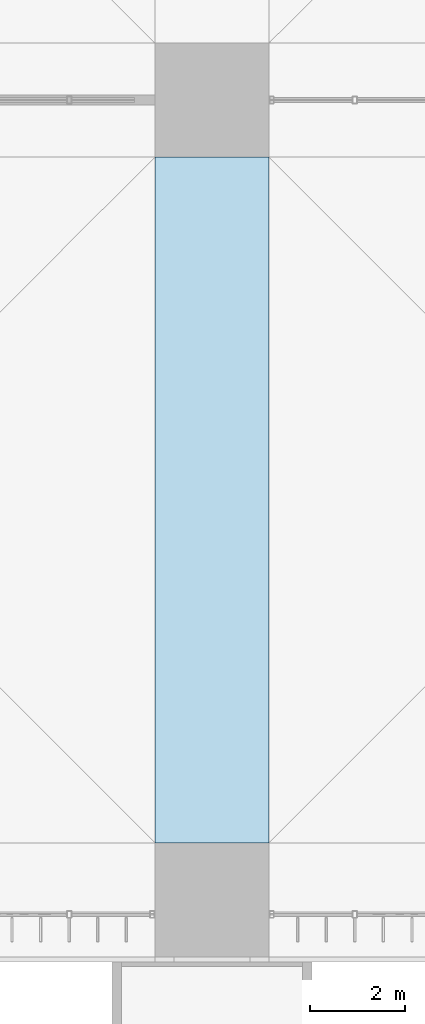
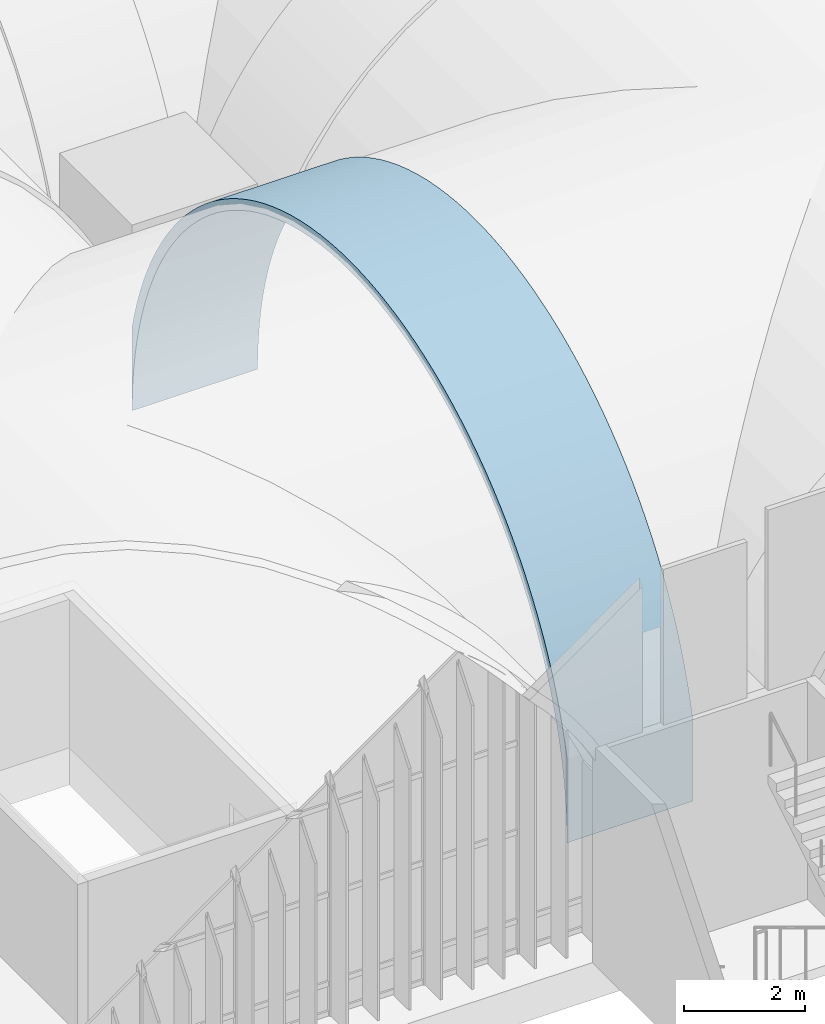
# One storey, part 113 of 169: 1 roof.
"""IFC4 building model written with IfcOpenShell, lengths in metres."""

from ifc_helpers import new_model, si_unit, direction, frame, origin, place, context, subcontext, project, spatial, polygons, material, layer, layer_set, type_object, element, save


model = new_model("IFC4")

# Units and contexts
model_context = context("Model", 3, precision=1e-05, world=origin(), true_north=direction((0.0, 1.0)))
body_context = subcontext(model_context, "Body", "Model", "MODEL_VIEW")
ifc_project = project(units=[si_unit("LENGTHUNIT", "METRE"), si_unit("AREAUNIT", "SQUARE_METRE"), si_unit("VOLUMEUNIT", "CUBIC_METRE"), si_unit("PLANEANGLEUNIT", "RADIAN"), si_unit("MASSUNIT", "GRAM", prefix="KILO")], contexts=[model_context])

# Site, building, storey
site_placement = place(None, origin())
site = spatial("IfcSite", under=ifc_project, at=site_placement, CompositionType="ELEMENT")
building_placement = place(site_placement, origin())
building = spatial("IfcBuilding", under=site, at=building_placement, Name="Verrick Yard Athletic Hall", CompositionType="ELEMENT")
storey_placement = place(building_placement, frame((0.0, 0.0, 4.39990234375)))
storey = spatial("IfcBuildingStorey", under=building, at=storey_placement, Name="L01", CompositionType="ELEMENT", Elevation=4.39990234375)

# Roof
ifc_material = material(Name="Concrete 35 MPa", Category="concrete")
ifc_layer = layer(ifc_material, 0.199951171875)
ifc_layer_set = layer_set([ifc_layer], Name="Arch rib 200")
roof_type = type_object("IfcRoofType", Name="Arch rib 200", PredefinedType="BARREL_ROOF", material=ifc_layer_set)
roof_placement = place(storey_placement, origin())
element("IfcRoof", 1, at=roof_placement, inside=storey, type_object=roof_type, Name="Vault rib X2-1", PredefinedType="BARREL_ROOF", context=body_context, shape_type="Tessellation", body=[
    polygons([(58.0, 20.39990234375, 2.352294921875), (58.0, 20.39990234375, 0.650146484375), (58.0, 20.406982421875, 0.964111328125), (58.0, 20.427490234375, 1.277587890625), (58.0, 20.461669921875, 1.58984375), (58.0, 20.509521484375, 1.900390625), (58.0, 20.57080078125, 2.20849609375), (58.0, 20.645263671875, 2.513671875), (58.0, 20.733154296875, 2.815185546875), (58.0, 20.834228515625, 3.112548828125), (58.0, 20.947998046875, 3.405517578125), (58.0, 21.07470703125, 3.693115234375), (58.0, 21.21337890625, 3.974609375), (58.0, 21.364501953125, 4.25), (58.0, 21.527587890625, 4.518798828125), (58.0, 21.7021484375, 4.77978515625), (58.0, 21.887939453125, 5.033203125), (58.0, 22.08447265625, 5.278076171875), (58.0, 22.29150390625, 5.514404296875), (58.0, 22.5087890625, 5.7412109375), (58.0, 22.73583984375, 5.95849609375), (58.0, 22.971923828125, 6.16552734375), (58.0, 23.216796875, 6.3623046875), (58.0, 23.47021484375, 6.548095703125), (58.0, 23.7314453125, 6.722412109375), (58.0, 24.0, 6.885498046875), (58.0, 24.275390625, 7.03662109375), (58.0, 24.55712890625, 7.175537109375), (58.0, 24.8447265625, 7.302001953125), (58.0, 25.137451171875, 7.416015625), (58.0, 25.434814453125, 7.516845703125), (58.0, 25.736572265625, 7.604736328125), (58.0, 26.04150390625, 7.679443359375), (58.0, 26.349609375, 7.74072265625), (58.0, 26.66015625, 7.78857421875), (58.0, 26.972412109375, 7.82275390625), (58.0, 27.285888671875, 7.84326171875), (58.0, 27.60009765625, 7.85009765625), (58.0, 27.9140625, 7.84326171875), (58.0, 28.2275390625, 7.82275390625), (58.0, 28.539794921875, 7.78857421875), (58.0, 28.850341796875, 7.74072265625), (58.0, 29.158447265625, 7.679443359375), (58.0, 29.46337890625, 7.604736328125), (58.0, 29.76513671875, 7.516845703125), (58.0, 30.0625, 7.416015625), (58.0, 30.355224609375, 7.302001953125), (58.0, 30.642822265625, 7.175537109375), (58.0, 30.924560546875, 7.03662109375), (58.0, 31.199951171875, 6.885498046875), (58.0, 31.468505859375, 6.722412109375), (58.0, 31.729736328125, 6.548095703125), (58.0, 31.983154296875, 6.3623046875), (58.0, 32.22802734375, 6.16552734375), (58.0, 32.464111328125, 5.95849609375), (58.0, 32.691162109375, 5.7412109375), (58.0, 32.908447265625, 5.514404296875), (58.0, 33.115478515625, 5.278076171875), (58.0, 33.31201171875, 5.033203125), (58.0, 33.497802734375, 4.77978515625), (58.0, 33.67236328125, 4.518798828125), (58.0, 33.83544921875, 4.25), (58.0, 33.986572265625, 3.974609375), (58.0, 34.12548828125, 3.693115234375), (58.0, 34.251953125, 3.405517578125), (58.0, 34.36572265625, 3.112548828125), (58.0, 34.466796875, 2.815185546875), (58.0, 34.5546875, 2.513671875), (58.0, 34.62939453125, 2.20849609375), (58.0, 34.690673828125, 1.900390625), (58.0, 34.73828125, 1.58984375), (58.0, 34.772705078125, 1.277587890625), (58.0, 34.793212890625, 0.964111328125), (58.0, 34.800048828125, 0.650146484375), (58.0, 34.800048828125, 2.352294921875), (58.0, 34.747802734375, 2.5654296875), (58.0, 34.657470703125, 2.875244140625), (58.0, 34.5537109375, 3.180908203125), (58.0, 34.436767578125, 3.48193359375), (58.0, 34.306640625, 3.777587890625), (58.0, 34.163818359375, 4.06689453125), (58.0, 34.008544921875, 4.35009765625), (58.0, 33.841064453125, 4.6259765625), (58.0, 33.66162109375, 4.89453125), (58.0, 33.470703125, 5.15478515625), (58.0, 33.268798828125, 5.40673828125), (58.0, 33.055908203125, 5.6494140625), (58.0, 32.83251953125, 5.8828125), (58.0, 32.599365234375, 6.10595703125), (58.0, 32.356689453125, 6.31884765625), (58.0, 32.104736328125, 6.52099609375), (58.0, 31.844482421875, 6.7119140625), (58.0, 31.575927734375, 6.89111328125), (58.0, 31.300048828125, 7.05859375), (58.0, 31.016845703125, 7.214111328125), (58.0, 30.727294921875, 7.356689453125), (58.0, 30.431884765625, 7.48681640625), (58.0, 30.130859375, 7.603759765625), (58.0, 29.8251953125, 7.70751953125), (58.0, 29.515380859375, 7.798095703125), (58.0, 29.20166015625, 7.874755859375), (58.0, 28.885009765625, 7.937744140625), (58.0, 28.56591796875, 7.98681640625), (58.0, 28.2451171875, 8.02197265625), (58.0, 27.9228515625, 8.043212890625), (58.0, 27.60009765625, 8.050048828125), (58.0, 27.277099609375, 8.043212890625), (58.0, 26.955078125, 8.02197265625), (58.0, 26.634033203125, 7.98681640625), (58.0, 26.31494140625, 7.937744140625), (58.0, 25.998291015625, 7.874755859375), (58.0, 25.684814453125, 7.798095703125), (58.0, 25.374755859375, 7.70751953125), (58.0, 25.069091796875, 7.603759765625), (58.0, 24.76806640625, 7.48681640625), (58.0, 24.47265625, 7.356689453125), (58.0, 24.18310546875, 7.214111328125), (58.0, 23.89990234375, 7.05859375), (58.0, 23.6240234375, 6.89111328125), (58.0, 23.35546875, 6.7119140625), (58.0, 23.09521484375, 6.52099609375), (58.0, 22.843505859375, 6.31884765625), (58.0, 22.6005859375, 6.10595703125), (58.0, 22.367431640625, 5.8828125), (58.0, 22.14404296875, 5.6494140625), (58.0, 21.931396484375, 5.40673828125), (58.0, 21.729248046875, 5.15478515625), (58.0, 21.538330078125, 4.89453125), (58.0, 21.35888671875, 4.6259765625), (58.0, 21.19140625, 4.35009765625), (58.0, 21.0361328125, 4.06689453125), (58.0, 20.893310546875, 3.777587890625), (58.0, 20.76318359375, 3.48193359375), (58.0, 20.646240234375, 3.180908203125), (58.0, 20.54248046875, 2.875244140625), (58.0, 20.4521484375, 2.5654296875), (55.60009765625, 20.39990234375, 2.352294921875), (55.60009765625, 20.39990234375, 0.650146484375), (55.60009765625, 20.406982421875, 0.964111328125), (55.60009765625, 20.427490234375, 1.277587890625), (55.60009765625, 20.461669921875, 1.58984375), (55.60009765625, 20.509521484375, 1.900390625), (55.60009765625, 20.57080078125, 2.20849609375), (55.60009765625, 20.645263671875, 2.513671875), (55.60009765625, 20.733154296875, 2.815185546875), (55.60009765625, 20.834228515625, 3.112548828125), (55.60009765625, 20.947998046875, 3.405517578125), (55.60009765625, 21.07470703125, 3.693115234375), (55.60009765625, 21.21337890625, 3.974609375), (55.60009765625, 21.364501953125, 4.25), (55.60009765625, 21.527587890625, 4.518798828125), (55.60009765625, 21.7021484375, 4.77978515625), (55.60009765625, 21.887939453125, 5.033203125), (55.60009765625, 22.08447265625, 5.278076171875), (55.60009765625, 22.29150390625, 5.514404296875), (55.60009765625, 22.5087890625, 5.7412109375), (55.60009765625, 22.73583984375, 5.95849609375), (55.60009765625, 22.971923828125, 6.16552734375), (55.60009765625, 23.216796875, 6.3623046875), (55.60009765625, 23.47021484375, 6.548095703125), (55.60009765625, 23.7314453125, 6.722412109375), (55.60009765625, 24.0, 6.885498046875), (55.60009765625, 24.275390625, 7.03662109375), (55.60009765625, 24.55712890625, 7.175537109375), (55.60009765625, 24.8447265625, 7.302001953125), (55.60009765625, 25.137451171875, 7.416015625), (55.60009765625, 25.434814453125, 7.516845703125), (55.60009765625, 25.736572265625, 7.604736328125), (55.60009765625, 26.04150390625, 7.679443359375), (55.60009765625, 26.349609375, 7.74072265625), (55.60009765625, 26.66015625, 7.78857421875), (55.60009765625, 26.972412109375, 7.82275390625), (55.60009765625, 27.285888671875, 7.84326171875), (55.60009765625, 27.60009765625, 7.85009765625), (55.60009765625, 27.9140625, 7.84326171875), (55.60009765625, 28.2275390625, 7.82275390625), (55.60009765625, 28.539794921875, 7.78857421875), (55.60009765625, 28.850341796875, 7.74072265625), (55.60009765625, 29.158447265625, 7.679443359375), (55.60009765625, 29.46337890625, 7.604736328125), (55.60009765625, 29.76513671875, 7.516845703125), (55.60009765625, 30.0625, 7.416015625), (55.60009765625, 30.355224609375, 7.302001953125), (55.60009765625, 30.642822265625, 7.175537109375), (55.60009765625, 30.924560546875, 7.03662109375), (55.60009765625, 31.199951171875, 6.885498046875), (55.60009765625, 31.468505859375, 6.722412109375), (55.60009765625, 31.729736328125, 6.548095703125), (55.60009765625, 31.983154296875, 6.3623046875), (55.60009765625, 32.22802734375, 6.16552734375), (55.60009765625, 32.464111328125, 5.95849609375), (55.60009765625, 32.691162109375, 5.7412109375), (55.60009765625, 32.908447265625, 5.514404296875), (55.60009765625, 33.115478515625, 5.278076171875), (55.60009765625, 33.31201171875, 5.033203125), (55.60009765625, 33.497802734375, 4.77978515625), (55.60009765625, 33.67236328125, 4.518798828125), (55.60009765625, 33.83544921875, 4.25), (55.60009765625, 33.986572265625, 3.974609375), (55.60009765625, 34.12548828125, 3.693115234375), (55.60009765625, 34.251953125, 3.405517578125), (55.60009765625, 34.36572265625, 3.112548828125), (55.60009765625, 34.466796875, 2.815185546875), (55.60009765625, 34.5546875, 2.513671875), (55.60009765625, 34.62939453125, 2.20849609375), (55.60009765625, 34.690673828125, 1.900390625), (55.60009765625, 34.73828125, 1.58984375), (55.60009765625, 34.772705078125, 1.277587890625), (55.60009765625, 34.793212890625, 0.964111328125), (55.60009765625, 34.800048828125, 0.650146484375), (55.60009765625, 34.800048828125, 2.352294921875), (55.60009765625, 34.747802734375, 2.5654296875), (55.60009765625, 34.657470703125, 2.875244140625), (55.60009765625, 34.5537109375, 3.180908203125), (55.60009765625, 34.436767578125, 3.48193359375), (55.60009765625, 34.306640625, 3.777587890625), (55.60009765625, 34.163818359375, 4.06689453125), (55.60009765625, 34.008544921875, 4.35009765625), (55.60009765625, 33.841064453125, 4.6259765625), (55.60009765625, 33.66162109375, 4.89453125), (55.60009765625, 33.470703125, 5.15478515625), (55.60009765625, 33.268798828125, 5.40673828125), (55.60009765625, 33.055908203125, 5.6494140625), (55.60009765625, 32.83251953125, 5.8828125), (55.60009765625, 32.599365234375, 6.10595703125), (55.60009765625, 32.356689453125, 6.31884765625), (55.60009765625, 32.104736328125, 6.52099609375), (55.60009765625, 31.844482421875, 6.7119140625), (55.60009765625, 31.575927734375, 6.89111328125), (55.60009765625, 31.300048828125, 7.05859375), (55.60009765625, 31.016845703125, 7.214111328125), (55.60009765625, 30.727294921875, 7.356689453125), (55.60009765625, 30.431884765625, 7.48681640625), (55.60009765625, 30.130859375, 7.603759765625), (55.60009765625, 29.8251953125, 7.70751953125), (55.60009765625, 29.515380859375, 7.798095703125), (55.60009765625, 29.20166015625, 7.874755859375), (55.60009765625, 28.885009765625, 7.937744140625), (55.60009765625, 28.56591796875, 7.98681640625), (55.60009765625, 28.2451171875, 8.02197265625), (55.60009765625, 27.9228515625, 8.043212890625), (55.60009765625, 27.60009765625, 8.050048828125), (55.60009765625, 27.277099609375, 8.043212890625), (55.60009765625, 26.955078125, 8.02197265625), (55.60009765625, 26.634033203125, 7.98681640625), (55.60009765625, 26.31494140625, 7.937744140625), (55.60009765625, 25.998291015625, 7.874755859375), (55.60009765625, 25.684814453125, 7.798095703125), (55.60009765625, 25.374755859375, 7.70751953125), (55.60009765625, 25.069091796875, 7.603759765625), (55.60009765625, 24.76806640625, 7.48681640625), (55.60009765625, 24.47265625, 7.356689453125), (55.60009765625, 24.18310546875, 7.214111328125), (55.60009765625, 23.89990234375, 7.05859375), (55.60009765625, 23.6240234375, 6.89111328125), (55.60009765625, 23.35546875, 6.7119140625), (55.60009765625, 23.09521484375, 6.52099609375), (55.60009765625, 22.843505859375, 6.31884765625), (55.60009765625, 22.6005859375, 6.10595703125), (55.60009765625, 22.367431640625, 5.8828125), (55.60009765625, 22.14404296875, 5.6494140625), (55.60009765625, 21.931396484375, 5.40673828125), (55.60009765625, 21.729248046875, 5.15478515625), (55.60009765625, 21.538330078125, 4.89453125), (55.60009765625, 21.35888671875, 4.6259765625), (55.60009765625, 21.19140625, 4.35009765625), (55.60009765625, 21.0361328125, 4.06689453125), (55.60009765625, 20.893310546875, 3.777587890625), (55.60009765625, 20.76318359375, 3.48193359375), (55.60009765625, 20.646240234375, 3.180908203125), (55.60009765625, 20.54248046875, 2.875244140625), (55.60009765625, 20.4521484375, 2.5654296875)], [[[1, 2, 3]], [[137, 139, 138]], [[136, 1, 3]], [[272, 139, 137]], [[136, 3, 4]], [[272, 140, 139]], [[136, 4, 5]], [[272, 141, 140]], [[136, 5, 6]], [[272, 142, 141]], [[136, 6, 7]], [[272, 143, 142]], [[136, 7, 8]], [[272, 144, 143]], [[136, 8, 9]], [[272, 145, 144]], [[136, 9, 10]], [[272, 146, 145]], [[136, 10, 11]], [[272, 147, 146]], [[136, 11, 12]], [[272, 148, 147]], [[136, 12, 13]], [[272, 149, 148]], [[73, 74, 75]], [[209, 211, 210]], [[72, 73, 75]], [[208, 211, 209]], [[71, 72, 75]], [[207, 211, 208]], [[70, 71, 75]], [[206, 211, 207]], [[69, 70, 75]], [[205, 211, 206]], [[68, 69, 75]], [[204, 211, 205]], [[67, 68, 75]], [[203, 211, 204]], [[66, 67, 75]], [[202, 211, 203]], [[65, 66, 75]], [[201, 211, 202]], [[64, 65, 75]], [[200, 211, 201]], [[63, 64, 75]], [[199, 211, 200]], [[63, 75, 76]], [[199, 212, 211]], [[63, 76, 77]], [[199, 213, 212]], [[62, 63, 77]], [[198, 213, 199]], [[62, 77, 78]], [[198, 214, 213]], [[61, 62, 78]], [[197, 214, 198]], [[61, 78, 79]], [[197, 215, 214]], [[60, 61, 79]], [[196, 215, 197]], [[60, 79, 80]], [[196, 216, 215]], [[59, 60, 80]], [[195, 216, 196]], [[59, 80, 81]], [[195, 217, 216]], [[58, 59, 81]], [[194, 217, 195]], [[58, 81, 82]], [[194, 218, 217]], [[57, 58, 82]], [[193, 218, 194]], [[57, 82, 83]], [[193, 219, 218]], [[56, 57, 83]], [[192, 219, 193]], [[56, 83, 84]], [[192, 220, 219]], [[55, 56, 84]], [[191, 220, 192]], [[55, 84, 85]], [[191, 221, 220]], [[54, 55, 85]], [[190, 221, 191]], [[54, 85, 86]], [[190, 222, 221]], [[53, 54, 86]], [[189, 222, 190]], [[53, 86, 87]], [[189, 223, 222]], [[52, 53, 87]], [[188, 223, 189]], [[52, 87, 88]], [[188, 224, 223]], [[51, 52, 88]], [[187, 224, 188]], [[51, 88, 89]], [[187, 225, 224]], [[50, 51, 89]], [[186, 225, 187]], [[50, 89, 90]], [[186, 226, 225]], [[49, 50, 90]], [[185, 226, 186]], [[49, 90, 91]], [[185, 227, 226]], [[48, 49, 91]], [[184, 227, 185]], [[48, 91, 92]], [[184, 228, 227]], [[47, 48, 92]], [[183, 228, 184]], [[47, 92, 93]], [[183, 229, 228]], [[46, 47, 93]], [[182, 229, 183]], [[46, 93, 94]], [[182, 230, 229]], [[45, 46, 94]], [[181, 230, 182]], [[45, 94, 95]], [[181, 231, 230]], [[44, 45, 95]], [[180, 231, 181]], [[44, 95, 96]], [[180, 232, 231]], [[43, 44, 96]], [[179, 232, 180]], [[43, 96, 97]], [[179, 233, 232]], [[42, 43, 97]], [[178, 233, 179]], [[42, 97, 98]], [[178, 234, 233]], [[41, 42, 98]], [[177, 234, 178]], [[41, 98, 99]], [[177, 235, 234]], [[40, 41, 99]], [[176, 235, 177]], [[40, 99, 100]], [[176, 236, 235]], [[39, 40, 100]], [[175, 236, 176]], [[39, 100, 101]], [[175, 237, 236]], [[38, 39, 101]], [[174, 237, 175]], [[38, 101, 102]], [[174, 238, 237]], [[37, 38, 102]], [[173, 238, 174]], [[37, 102, 103]], [[173, 239, 238]], [[36, 37, 103]], [[172, 239, 173]], [[36, 103, 104]], [[172, 240, 239]], [[35, 36, 104]], [[171, 240, 172]], [[35, 104, 105]], [[171, 241, 240]], [[34, 35, 105]], [[170, 241, 171]], [[34, 105, 106]], [[170, 242, 241]], [[33, 34, 106]], [[169, 242, 170]], [[33, 106, 107]], [[169, 243, 242]], [[32, 33, 107]], [[168, 243, 169]], [[32, 107, 108]], [[168, 244, 243]], [[31, 32, 108]], [[167, 244, 168]], [[31, 108, 109]], [[167, 245, 244]], [[30, 31, 109]], [[166, 245, 167]], [[30, 109, 110]], [[166, 246, 245]], [[29, 30, 110]], [[165, 246, 166]], [[29, 110, 111]], [[165, 247, 246]], [[28, 29, 111]], [[164, 247, 165]], [[28, 111, 112]], [[164, 248, 247]], [[27, 28, 112]], [[163, 248, 164]], [[27, 112, 113]], [[163, 249, 248]], [[26, 27, 113]], [[162, 249, 163]], [[26, 113, 114]], [[162, 250, 249]], [[25, 26, 114]], [[161, 250, 162]], [[25, 114, 115]], [[161, 251, 250]], [[24, 25, 115]], [[160, 251, 161]], [[24, 115, 116]], [[160, 252, 251]], [[23, 24, 116]], [[159, 252, 160]], [[23, 116, 117]], [[159, 253, 252]], [[22, 23, 117]], [[158, 253, 159]], [[22, 117, 118]], [[158, 254, 253]], [[21, 22, 118]], [[157, 254, 158]], [[21, 118, 119]], [[157, 255, 254]], [[20, 21, 119]], [[156, 255, 157]], [[20, 119, 120]], [[156, 256, 255]], [[19, 20, 120]], [[155, 256, 156]], [[19, 120, 121]], [[155, 257, 256]], [[18, 19, 121]], [[154, 257, 155]], [[18, 121, 122]], [[154, 258, 257]], [[17, 18, 122]], [[153, 258, 154]], [[17, 122, 123]], [[153, 259, 258]], [[16, 17, 123]], [[152, 259, 153]], [[16, 123, 124]], [[152, 260, 259]], [[15, 16, 124]], [[151, 260, 152]], [[15, 124, 125]], [[151, 261, 260]], [[14, 15, 125]], [[150, 261, 151]], [[14, 125, 126]], [[150, 262, 261]], [[13, 14, 126]], [[149, 262, 150]], [[136, 13, 126]], [[272, 262, 149]], [[136, 126, 127]], [[272, 263, 262]], [[136, 127, 128]], [[272, 264, 263]], [[136, 128, 129]], [[272, 265, 264]], [[136, 129, 130]], [[272, 266, 265]], [[136, 130, 131]], [[272, 267, 266]], [[136, 131, 132]], [[272, 268, 267]], [[136, 132, 133]], [[272, 269, 268]], [[136, 133, 134]], [[272, 270, 269]], [[134, 135, 136]], [[270, 272, 271]], [[1, 138, 2]], [[1, 137, 138]], [[2, 139, 3]], [[2, 138, 139]], [[3, 140, 4]], [[3, 139, 140]], [[4, 141, 5]], [[4, 140, 141]], [[5, 142, 6]], [[5, 141, 142]], [[6, 143, 7]], [[6, 142, 143]], [[7, 144, 8]], [[7, 143, 144]], [[8, 145, 9]], [[8, 144, 145]], [[9, 146, 10]], [[9, 145, 146]], [[10, 147, 11]], [[10, 146, 147]], [[11, 148, 12]], [[11, 147, 148]], [[12, 149, 13]], [[12, 148, 149]], [[13, 150, 14]], [[13, 149, 150]], [[14, 151, 15]], [[14, 150, 151]], [[15, 152, 16]], [[15, 151, 152]], [[16, 153, 17]], [[16, 152, 153]], [[17, 154, 18]], [[17, 153, 154]], [[18, 155, 19]], [[18, 154, 155]], [[19, 156, 20]], [[19, 155, 156]], [[20, 157, 21]], [[20, 156, 157]], [[21, 158, 22]], [[21, 157, 158]], [[22, 159, 23]], [[22, 158, 159]], [[23, 160, 24]], [[23, 159, 160]], [[24, 161, 25]], [[24, 160, 161]], [[25, 162, 26]], [[25, 161, 162]], [[26, 163, 27]], [[26, 162, 163]], [[27, 164, 28]], [[27, 163, 164]], [[28, 165, 29]], [[28, 164, 165]], [[29, 166, 30]], [[29, 165, 166]], [[30, 167, 31]], [[30, 166, 167]], [[31, 168, 32]], [[31, 167, 168]], [[32, 169, 33]], [[32, 168, 169]], [[33, 170, 34]], [[33, 169, 170]], [[34, 171, 35]], [[34, 170, 171]], [[35, 172, 36]], [[35, 171, 172]], [[36, 173, 37]], [[36, 172, 173]], [[37, 174, 38]], [[37, 173, 174]], [[38, 175, 39]], [[38, 174, 175]], [[39, 176, 40]], [[39, 175, 176]], [[40, 177, 41]], [[40, 176, 177]], [[41, 178, 42]], [[41, 177, 178]], [[42, 179, 43]], [[42, 178, 179]], [[43, 180, 44]], [[43, 179, 180]], [[44, 181, 45]], [[44, 180, 181]], [[45, 182, 46]], [[45, 181, 182]], [[46, 183, 47]], [[46, 182, 183]], [[47, 184, 48]], [[47, 183, 184]], [[48, 185, 49]], [[48, 184, 185]], [[49, 186, 50]], [[49, 185, 186]], [[50, 187, 51]], [[50, 186, 187]], [[51, 188, 52]], [[51, 187, 188]], [[52, 189, 53]], [[52, 188, 189]], [[53, 190, 54]], [[53, 189, 190]], [[54, 191, 55]], [[54, 190, 191]], [[55, 192, 56]], [[55, 191, 192]], [[56, 193, 57]], [[56, 192, 193]], [[57, 194, 58]], [[57, 193, 194]], [[58, 195, 59]], [[58, 194, 195]], [[59, 196, 60]], [[59, 195, 196]], [[60, 197, 61]], [[60, 196, 197]], [[61, 198, 62]], [[61, 197, 198]], [[62, 199, 63]], [[62, 198, 199]], [[63, 200, 64]], [[63, 199, 200]], [[64, 201, 65]], [[64, 200, 201]], [[65, 202, 66]], [[65, 201, 202]], [[66, 203, 67]], [[66, 202, 203]], [[67, 204, 68]], [[67, 203, 204]], [[68, 205, 69]], [[68, 204, 205]], [[69, 206, 70]], [[69, 205, 206]], [[70, 207, 71]], [[70, 206, 207]], [[71, 208, 72]], [[71, 207, 208]], [[72, 209, 73]], [[72, 208, 209]], [[73, 210, 74]], [[73, 209, 210]], [[74, 211, 75]], [[74, 210, 211]], [[75, 212, 76]], [[75, 211, 212]], [[76, 213, 77]], [[76, 212, 213]], [[77, 214, 78]], [[77, 213, 214]], [[78, 215, 79]], [[78, 214, 215]], [[79, 216, 80]], [[79, 215, 216]], [[80, 217, 81]], [[80, 216, 217]], [[81, 218, 82]], [[81, 217, 218]], [[82, 219, 83]], [[82, 218, 219]], [[83, 220, 84]], [[83, 219, 220]], [[84, 221, 85]], [[84, 220, 221]], [[85, 222, 86]], [[85, 221, 222]], [[86, 223, 87]], [[86, 222, 223]], [[87, 224, 88]], [[87, 223, 224]], [[88, 225, 89]], [[88, 224, 225]], [[89, 226, 90]], [[89, 225, 226]], [[90, 227, 91]], [[90, 226, 227]], [[91, 228, 92]], [[91, 227, 228]], [[92, 229, 93]], [[92, 228, 229]], [[93, 230, 94]], [[93, 229, 230]], [[94, 231, 95]], [[94, 230, 231]], [[95, 232, 96]], [[95, 231, 232]], [[96, 233, 97]], [[96, 232, 233]], [[97, 234, 98]], [[97, 233, 234]], [[98, 235, 99]], [[98, 234, 235]], [[99, 236, 100]], [[99, 235, 236]], [[100, 237, 101]], [[100, 236, 237]], [[101, 238, 102]], [[101, 237, 238]], [[102, 239, 103]], [[102, 238, 239]], [[103, 240, 104]], [[103, 239, 240]], [[104, 241, 105]], [[104, 240, 241]], [[105, 242, 106]], [[105, 241, 242]], [[106, 243, 107]], [[106, 242, 243]], [[107, 244, 108]], [[107, 243, 244]], [[108, 245, 109]], [[108, 244, 245]], [[109, 246, 110]], [[109, 245, 246]], [[110, 247, 111]], [[110, 246, 247]], [[111, 248, 112]], [[111, 247, 248]], [[112, 249, 113]], [[112, 248, 249]], [[113, 250, 114]], [[113, 249, 250]], [[114, 251, 115]], [[114, 250, 251]], [[115, 252, 116]], [[115, 251, 252]], [[116, 253, 117]], [[116, 252, 253]], [[117, 254, 118]], [[117, 253, 254]], [[118, 255, 119]], [[118, 254, 255]], [[119, 256, 120]], [[119, 255, 256]], [[120, 257, 121]], [[120, 256, 257]], [[121, 258, 122]], [[121, 257, 258]], [[122, 259, 123]], [[122, 258, 259]], [[123, 260, 124]], [[123, 259, 260]], [[124, 261, 125]], [[124, 260, 261]], [[125, 262, 126]], [[125, 261, 262]], [[126, 263, 127]], [[126, 262, 263]], [[127, 264, 128]], [[127, 263, 264]], [[128, 265, 129]], [[128, 264, 265]], [[129, 266, 130]], [[129, 265, 266]], [[130, 267, 131]], [[130, 266, 267]], [[131, 268, 132]], [[131, 267, 268]], [[132, 269, 133]], [[132, 268, 269]], [[133, 270, 134]], [[133, 269, 270]], [[134, 271, 135]], [[134, 270, 271]], [[135, 272, 136]], [[135, 271, 272]], [[136, 137, 1]], [[136, 272, 137]]], closed=True),
])

save(model, "model.ifc")
